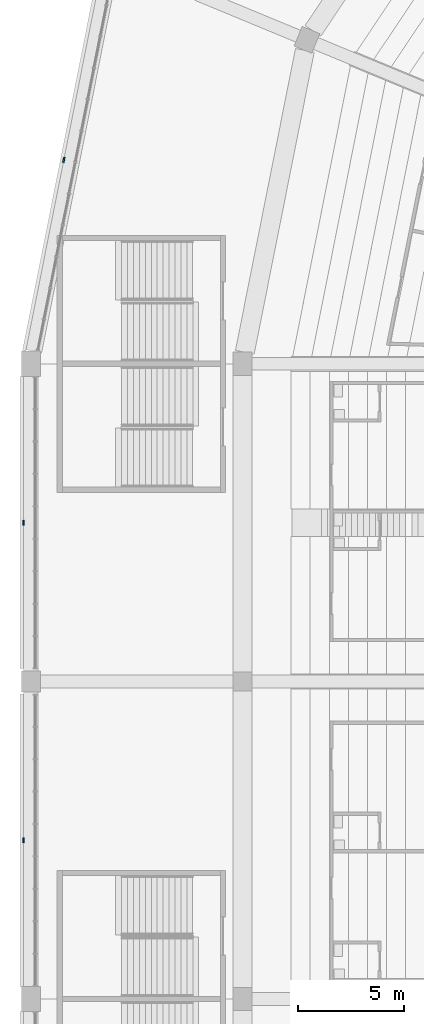
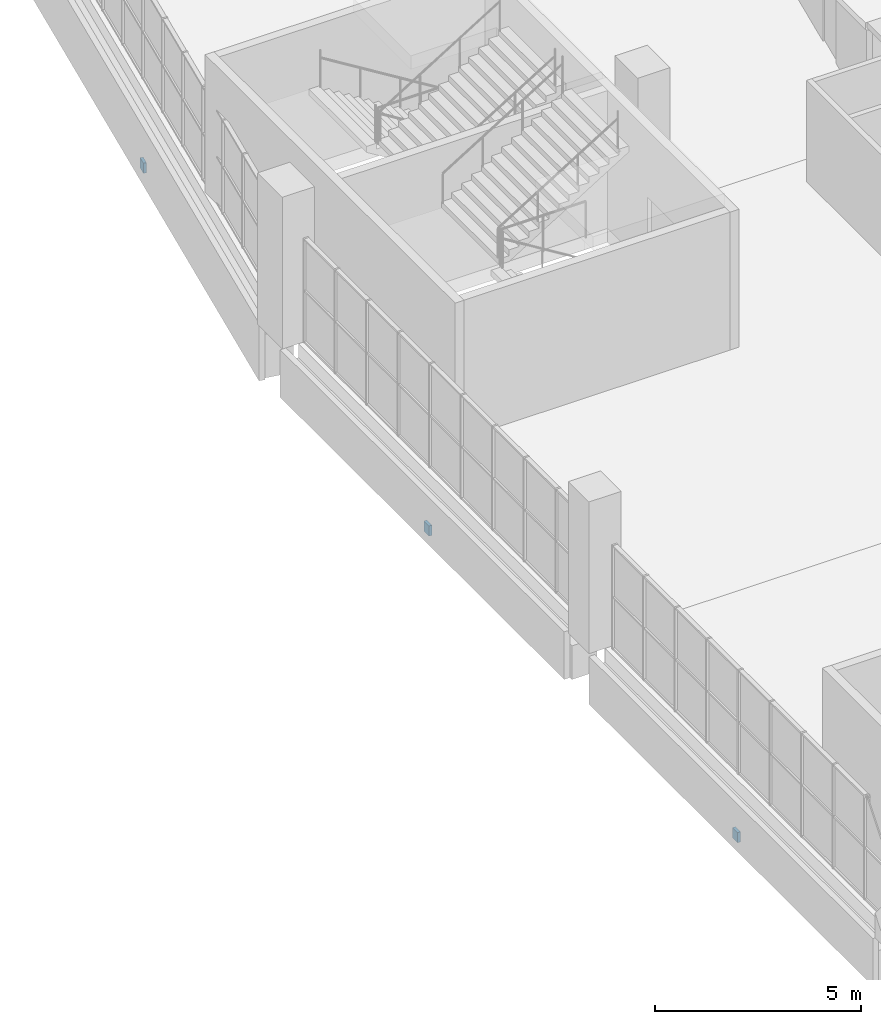
# One storey, part 108 of 249: 3 discrete accessories.
"""IFC4 building model written with IfcOpenShell, lengths in metres."""

from ifc_helpers import new_model, si_unit, direction, frame, origin, origin_2d, place, context, subcontext, project, spatial, rectangle, extrude, material, layer, layer_set, type_object, element, save


model = new_model("IFC4")

# Units and contexts
model_context = context("Model", 3, precision=1e-05, world=origin(), true_north=direction((0.0, 1.0)))
body_context = subcontext(model_context, "Body", "Model", "MODEL_VIEW")
ifc_project = project(units=[si_unit("LENGTHUNIT", "METRE"), si_unit("AREAUNIT", "SQUARE_METRE"), si_unit("VOLUMEUNIT", "CUBIC_METRE"), si_unit("PLANEANGLEUNIT", "RADIAN"), si_unit("MASSUNIT", "GRAM", prefix="KILO")], contexts=[model_context])

# Site, building, storey
site_placement = place(None, origin())
site = spatial("IfcSite", under=ifc_project, at=site_placement, CompositionType="ELEMENT")
building_placement = place(site_placement, origin())
building = spatial("IfcBuilding", under=site, at=building_placement, Name="Ogive Plaza Stadium", CompositionType="ELEMENT")
storey_placement = place(building_placement, frame((0.0, 0.0, 13.5)))
storey = spatial("IfcBuildingStorey", under=building, at=storey_placement, Name="L03", CompositionType="ELEMENT", Elevation=13.5)

# Discrete accessories
ifc_material = material(Name="Steel ASTM A572 Grade 50", Category="steel")
ifc_layer = layer(ifc_material, 0.080078125)
ifc_layer_set = layer_set([ifc_layer], Name="Steel ASTM A572 Grade 50")
discrete_accessory_type = type_object("IfcDiscreteAccessoryType", Name="Spandrel cladding bracket 250x300", PredefinedType="BRACKET", material=ifc_layer_set)
for number, where, z_axis, x_axis, name in (
    (1, (-84.35009765625, 30.0, -1.31005859375), (0.0, 0.0, 1.0), (0.0, 1.0, 0.0), "SPANDREL BRACKET B26 L03"),
    (2, (-84.35009765625, 45.0, -1.31005859375), (0.0, 0.0, 1.0), (0.0, 1.0, 0.0), "SPANDREL BRACKET B27 L03"),
    (3, (-82.440185546875, 62.135498046875, -1.60986328125), (0.0, 0.0, 1.0), (0.195090322016, 0.980785280403, 0.0), "SPANDREL BRACKET B28 L03"),
):
    element("IfcDiscreteAccessory", number, at=place(storey_placement, frame(where, z_axis=z_axis, x_axis=x_axis)), inside=storey, type_object=discrete_accessory_type, Name=name, PredefinedType="BRACKET", context=body_context, shape_type="SweptSolid", body=[
        extrude(rectangle(XDim=0.25, YDim=0.080078125, at=origin_2d()), origin(), (0.0, 0.0, 1.0), 0.300048828125),
    ])

save(model, "model.ifc")
